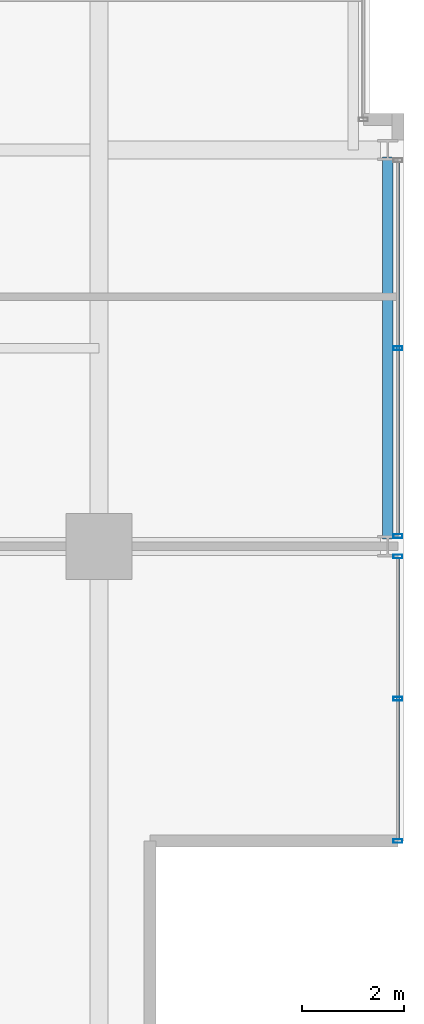
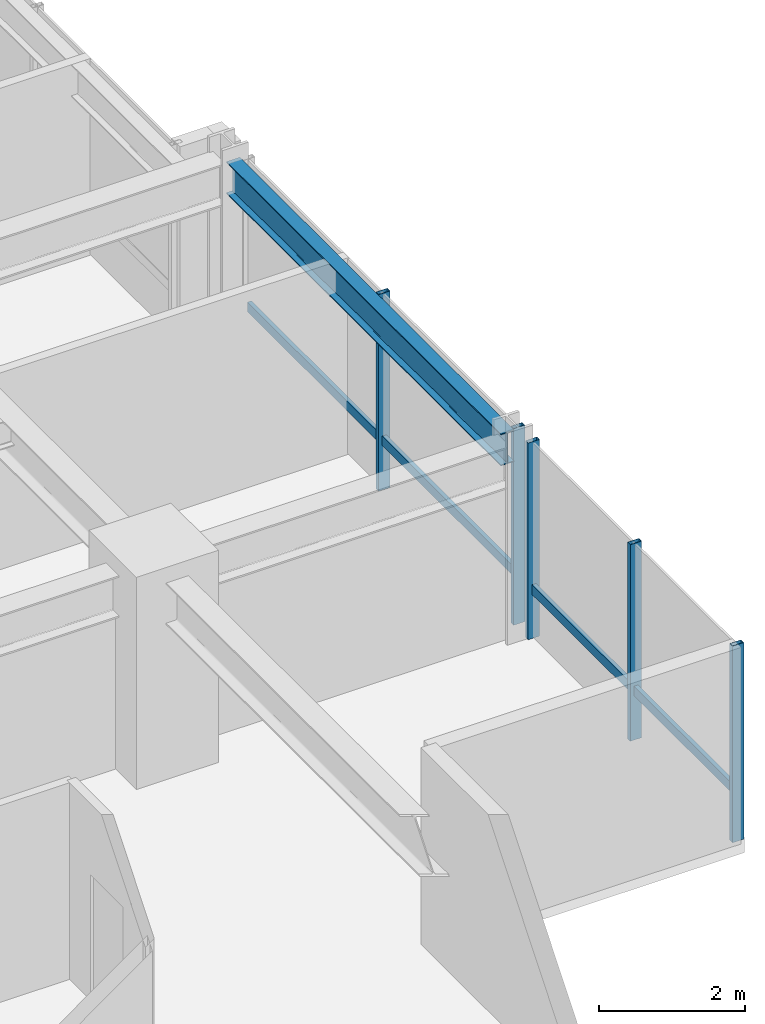
# One storey, part 13 of 32: 7 members, 1 beam, 2 elements without a shape of their own.
"""IFC4 building model written with IfcOpenShell, lengths in metres."""

from ifc_helpers import new_model, si_unit, direction, frame, origin, origin_2d, place, context, subcontext, project, spatial, hollow_rectangle, i_section, extrude, material, layer, layer_set, material_profile, profile_set, type_object, element, aggregate, save


model = new_model("IFC4")

# Units and contexts
model_context = context("Model", 3, precision=1e-05, world=origin(), true_north=direction((0.0, 1.0)))
body_context = subcontext(model_context, "Body", "Model", "MODEL_VIEW")
ifc_project = project(units=[si_unit("LENGTHUNIT", "METRE"), si_unit("AREAUNIT", "SQUARE_METRE"), si_unit("VOLUMEUNIT", "CUBIC_METRE"), si_unit("PLANEANGLEUNIT", "RADIAN"), si_unit("MASSUNIT", "GRAM", prefix="KILO")], contexts=[model_context])

# Site, building, storey
site_placement = place(None, origin())
site = spatial("IfcSite", under=ifc_project, at=site_placement, CompositionType="ELEMENT")
building_placement = place(site_placement, origin())
building = spatial("IfcBuilding", under=site, at=building_placement, Name="Drelvath Grand Hotel", CompositionType="ELEMENT")
storey_placement = place(building_placement, frame((0.0, 0.0, 157.5)))
storey = spatial("IfcBuildingStorey", under=building, at=storey_placement, Name="L40", CompositionType="ELEMENT", Elevation=157.5)

# Curtain wall, member
ifc_material_1 = material(Name="Brushed Pale-Silver Anodised Aluminium Frame", Category="aluminium")
ifc_layer = layer(ifc_material_1, 0.199951171875)
ifc_layer_set = layer_set([ifc_layer], Name="Brushed Pale-Silver Anodised Aluminium Frame")
curtain_wall_type = type_object("IfcCurtainWallType", Name="Stick Curtain Wall CW-04 Brushed Silver Upper-Mid", PredefinedType="NOTDEFINED", material=ifc_layer_set)
curtain_wall_1_placement = place(storey_placement, origin())
curtain_wall_1 = element("IfcCurtainWall", 1, at=curtain_wall_1_placement, inside=storey, type_object=curtain_wall_type, Name="L40 CW-04 Curtain Wall CW04-L40-ES1", PredefinedType="NOTDEFINED")
ifc_material_profile_1 = material_profile(ifc_material_1, hollow_rectangle(XDim=0.06494140625, YDim=0.159912109375, WallThickness=0.00390625, at=origin_2d()), Name="HSS160X65X4")
ifc_profile_set_1 = profile_set([ifc_material_profile_1], Name="Brushed Pale-Silver Anodised Aluminium Frame")
member_type_1 = type_object("IfcMemberType", Name="Curtain Wall Horizontal Transom CW-04 HSS160X65X4", PredefinedType="USERDEFINED", material=ifc_profile_set_1)
member_1_placement = place(storey_placement, frame((22.080078125, 10.559814453125, 0.822509765625), z_axis=(0.0, -1.0, 0.0), x_axis=(1.0, 0.0, 0.0)))
member_1 = element("IfcMember", 2, at=member_1_placement, type_object=member_type_1, Name="CW04-L40-ES1 Sill Transom", ObjectType="TRANSOM", PredefinedType="USERDEFINED", context=body_context, shape_type="SweptSolid", body=[
    extrude(hollow_rectangle(XDim=0.06494140625, YDim=0.159912109375, WallThickness=0.00390625, at=origin_2d()), origin(), (0.0, 0.0, 1.0), 5.519775390625),
])

curtain_wall_2_placement = place(storey_placement, origin())
curtain_wall_2 = element("IfcCurtainWall", 3, at=curtain_wall_2_placement, inside=storey, type_object=curtain_wall_type, Name="L40 CW-04 Curtain Wall CW04-L40-ES2", PredefinedType="NOTDEFINED")
member_2_placement = place(storey_placement, frame((22.080078125, 18.360107421875, 0.822509765625), z_axis=(0.0, -1.0, 0.0), x_axis=(1.0, 0.0, 0.0)))
member_2 = element("IfcMember", 4, at=member_2_placement, type_object=member_type_1, Name="CW04-L40-ES2 Sill Transom", ObjectType="TRANSOM", PredefinedType="USERDEFINED", context=body_context, shape_type="SweptSolid", body=[
    extrude(hollow_rectangle(XDim=0.06494140625, YDim=0.159912109375, WallThickness=0.00390625, at=origin_2d()), origin(), (0.0, 0.0, 1.0), 7.320068359375),
])

# Member
ifc_material_profile_2 = material_profile(ifc_material_1, hollow_rectangle(XDim=0.074951171875, YDim=0.179931640625, WallThickness=0.0048828125, at=origin_2d()), Name="HSS180X75X5")
ifc_profile_set_2 = profile_set([ifc_material_profile_2], Name="Brushed Pale-Silver Anodised Aluminium Frame")
member_type_2 = type_object("IfcMemberType", Name="Curtain Wall Vertical Mullion CW-04 HSS180X75X5", PredefinedType="MULLION", material=ifc_profile_set_2)
member_3_placement = place(storey_placement, frame((22.080078125, 10.599853515625, 0.0), z_axis=(0.0, 0.0, 1.0), x_axis=(0.0, 1.0, 0.0)))
member_3 = element("IfcMember", 5, at=member_3_placement, type_object=member_type_2, Name="CW04-L40-ES1 Mullion 1", PredefinedType="MULLION", context=body_context, shape_type="SweptSolid", body=[
    extrude(hollow_rectangle(XDim=0.074951171875, YDim=0.179931640625, WallThickness=0.0048828125, at=origin_2d()), origin(), (0.0, 0.0, 1.0), 3.2900390625),
])

member_4_placement = place(storey_placement, frame((22.080078125, 7.7998046875, 0.0), z_axis=(0.0, 0.0, 1.0), x_axis=(0.0, 1.0, 0.0)))
member_4 = element("IfcMember", 6, at=member_4_placement, type_object=member_type_2, Name="CW04-L40-ES1 Mullion 2", PredefinedType="MULLION", context=body_context, shape_type="SweptSolid", body=[
    extrude(hollow_rectangle(XDim=0.074951171875, YDim=0.179931640625, WallThickness=0.0048828125, at=origin_2d()), origin(), (0.0, 0.0, 1.0), 3.2900390625),
])

member_5_placement = place(storey_placement, frame((22.080078125, 5.0, 0.0), z_axis=(0.0, 0.0, 1.0), x_axis=(0.0, 1.0, 0.0)))
member_5 = element("IfcMember", 7, at=member_5_placement, type_object=member_type_2, Name="CW04-L40-ES1 Mullion 3", PredefinedType="MULLION", context=body_context, shape_type="SweptSolid", body=[
    extrude(hollow_rectangle(XDim=0.074951171875, YDim=0.179931640625, WallThickness=0.0048828125, at=origin_2d()), origin(), (0.0, 0.0, 1.0), 3.2900390625),
])

aggregate(curtain_wall_1, [member_3, member_4, member_5, member_1])

member_6_placement = place(storey_placement, frame((22.080078125, 14.699951171875, 0.0), z_axis=(0.0, 0.0, 1.0), x_axis=(0.0, 1.0, 0.0)))
member_6 = element("IfcMember", 8, at=member_6_placement, type_object=member_type_2, Name="CW04-L40-ES2 Mullion 2", PredefinedType="MULLION", context=body_context, shape_type="SweptSolid", body=[
    extrude(hollow_rectangle(XDim=0.074951171875, YDim=0.179931640625, WallThickness=0.0048828125, at=origin_2d()), origin(), (0.0, 0.0, 1.0), 3.2900390625),
])

member_7_placement = place(storey_placement, frame((22.080078125, 11.0, 0.0), z_axis=(0.0, 0.0, 1.0), x_axis=(0.0, 1.0, 0.0)))
member_7 = element("IfcMember", 9, at=member_7_placement, type_object=member_type_2, Name="CW04-L40-ES2 Mullion 3", PredefinedType="MULLION", context=body_context, shape_type="SweptSolid", body=[
    extrude(hollow_rectangle(XDim=0.074951171875, YDim=0.179931640625, WallThickness=0.0048828125, at=origin_2d()), origin(), (0.0, 0.0, 1.0), 3.2900390625),
])

aggregate(curtain_wall_2, [member_6, member_7, member_2])

# Beam
ifc_material_2 = material(Name="Steel ASTM A992 Gr 50", Category="steel")
ifc_material_profile_3 = material_profile(ifc_material_2, i_section(OverallWidth=0.210205078125, OverallDepth=0.53662109375, WebThickness=0.010986328125, FlangeThickness=0.017333984375, FilletRadius=0.01806640625, at=origin_2d()), Name="W21X68")
ifc_profile_set_3 = profile_set([ifc_material_profile_3], Name="Steel ASTM A992 Gr 50")
beam_type = type_object("IfcBeamType", Name="Perimeter Spandrel Beam W21X68", PredefinedType="SPANDREL", material=ifc_profile_set_3)
beam_placement = place(storey_placement, frame((21.8798828125, 10.93994140625, 3.021484375), z_axis=(0.0, 1.0, 0.0), x_axis=(-1.0, 0.0, 0.0)))
element("IfcBeam", 10, at=beam_placement, inside=storey, type_object=beam_type, Name="L40 Spandrel East S", PredefinedType="SPANDREL", context=body_context, shape_type="SweptSolid", body=[
    extrude(i_section(OverallWidth=0.210205078125, OverallDepth=0.53662109375, WebThickness=0.010986328125, FlangeThickness=0.017333984375, FilletRadius=0.01806640625, at=origin_2d()), origin(), (0.0, 0.0, 1.0), 7.52001953125),
])

save(model, "model.ifc")
